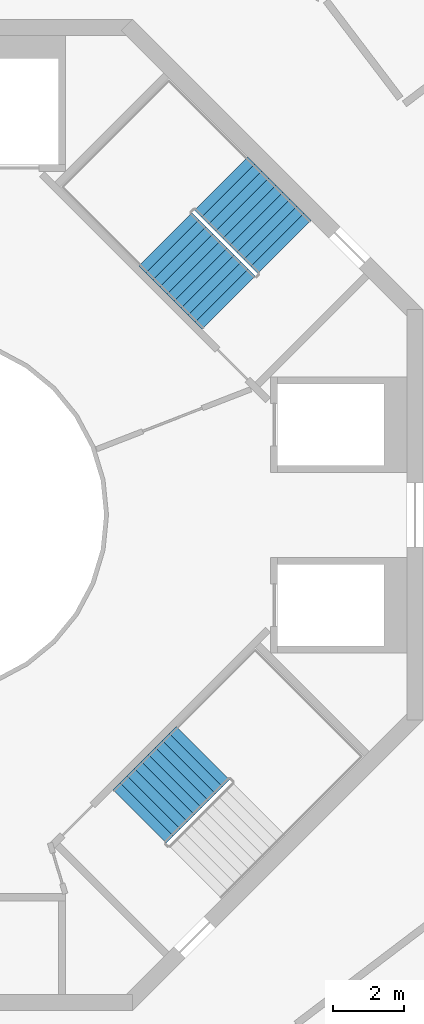
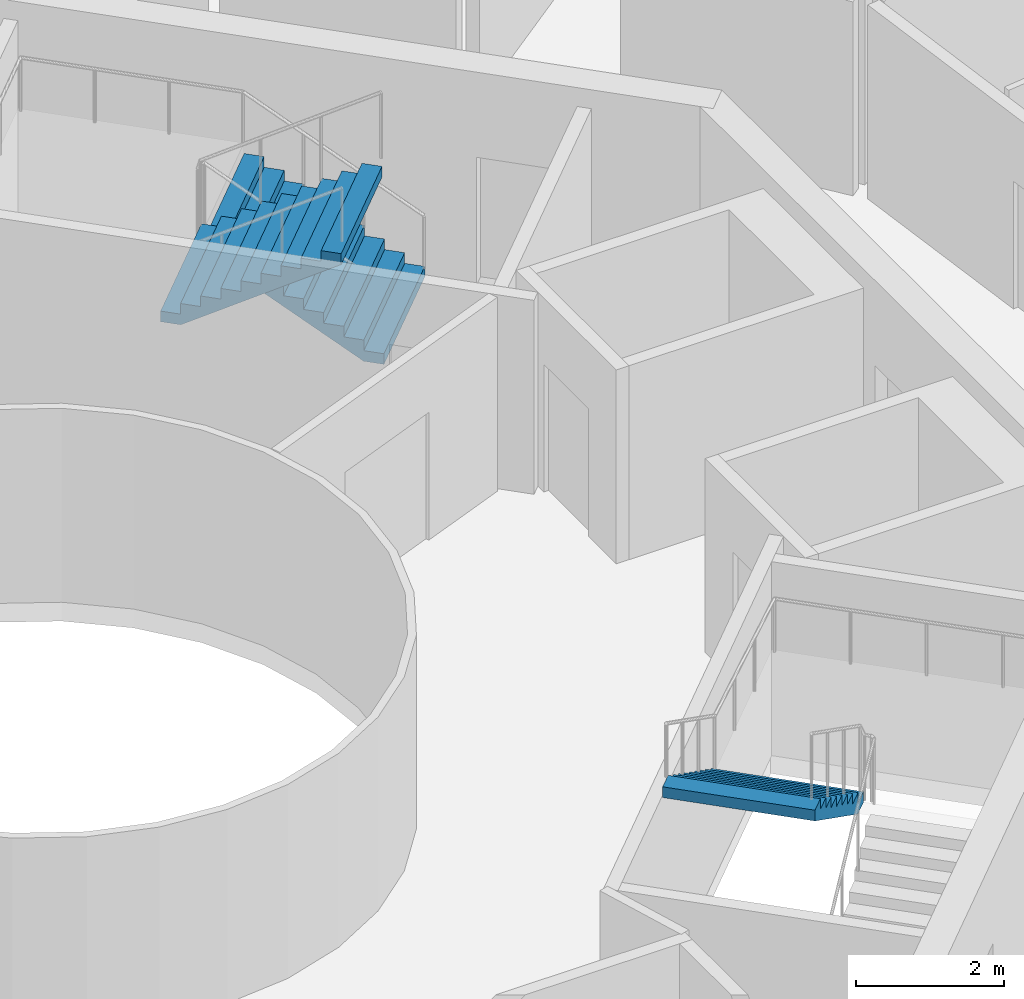
# One storey, part 25 of 26: 3 stair flights, 2 elements without a shape of their own.
"""IFC4 building model written with IfcOpenShell, lengths in metres."""

from ifc_helpers import new_model, si_unit, direction, frame, origin, place, context, subcontext, project, spatial, triangles, material, type_object, element, aggregate, save


model = new_model("IFC4")

# Units and contexts
model_context = context("Model", 3, precision=1e-05, world=origin(), true_north=direction((0.0, 1.0)))
body_context = subcontext(model_context, "Body", "Model", "MODEL_VIEW")
ifc_project = project(units=[si_unit("LENGTHUNIT", "METRE"), si_unit("AREAUNIT", "SQUARE_METRE"), si_unit("VOLUMEUNIT", "CUBIC_METRE"), si_unit("PLANEANGLEUNIT", "RADIAN"), si_unit("MASSUNIT", "GRAM", prefix="KILO")], contexts=[model_context])

# Site, building, storey
site_placement = place(None, origin())
site = spatial("IfcSite", under=ifc_project, at=site_placement, CompositionType="ELEMENT")
building_placement = place(site_placement, origin())
building = spatial("IfcBuilding", under=site, at=building_placement, Name="Verdalira Terraces Hotel", CompositionType="ELEMENT")
storey_placement = place(building_placement, frame((0.0, 0.0, 306.5)))
storey = spatial("IfcBuildingStorey", under=building, at=storey_placement, Name="L76", CompositionType="ELEMENT", Elevation=306.5)

# Stair, stair flights
ifc_material_1 = material(Name="Concrete C40", Category="concrete")
stair_type = type_object("IfcStairType", Name="Core stair 20 risers 2125 mm wide", PredefinedType="HALF_TURN_STAIR", material=ifc_material_1)
stair_1_placement = place(storey_placement, origin())
stair_1 = element("IfcStair", 1, at=stair_1_placement, inside=storey, type_object=stair_type, Name="L76 Exit stair ST1", PredefinedType="HALF_TURN_STAIR")
ifc_material_2 = material(Name="Concrete C40", Category="concrete")
stair_flight_type = type_object("IfcStairFlightType", Name="Core stair flight 20 risers 2125 mm wide", PredefinedType="STRAIGHT", material=ifc_material_2)
stair_flight_1_placement = place(storey_placement, frame((10.085205, 7.574951, 0.0), z_axis=(0.0, 0.0, 1.0), x_axis=(-0.707106781, 0.707106781, 0.0)))
stair_flight_1 = element("IfcStairFlight", 2, at=stair_flight_1_placement, type_object=stair_flight_type, Name="ST1 flight 1", NumberOfRisers=10, NumberOfTreads=9, PredefinedType="STRAIGHT", RiserHeight=0.175, TreadLength=0.28, context=body_context, shape_type="Tessellation", body=[
    triangles([(0.0, 1.0625, 0.0), (0.282715, 1.0625, 0.0), (2.52002, 1.0625, 1.398193), (0.0, -1.0625, 0.0), (0.282715, -1.0625, 0.0), (2.52002, -1.0625, 1.398193), (2.52002, 1.0625, 1.574951), (2.23999, 1.0625, 1.574951), (2.52002, -1.0625, 1.574951), (2.23999, -1.0625, 1.574951), (2.23999, 1.0625, 1.399902), (2.23999, -1.0625, 1.399902), (1.959961, 1.0625, 1.399902), (1.959961, -1.0625, 1.399902), (1.959961, 1.0625, 1.225098), (1.959961, -1.0625, 1.225098), (1.679932, 1.0625, 1.225098), (1.679932, 1.0625, 1.050049), (1.679932, -1.0625, 1.225098), (1.679932, -1.0625, 1.050049), (1.399902, 1.0625, 1.050049), (1.399902, 1.0625, 0.875), (1.399902, -1.0625, 1.050049), (1.399902, -1.0625, 0.875), (1.120117, 1.0625, 0.875), (1.120117, 1.0625, 0.699951), (1.120117, -1.0625, 0.875), (1.120117, -1.0625, 0.699951), (0.840088, 1.0625, 0.699951), (0.840088, 1.0625, 0.524902), (0.840088, -1.0625, 0.699951), (0.840088, -1.0625, 0.524902), (0.560059, 1.0625, 0.524902), (0.560059, 1.0625, 0.350098), (0.560059, -1.0625, 0.524902), (0.560059, -1.0625, 0.350098), (0.280029, 1.0625, 0.350098), (0.280029, 1.0625, 0.175049), (0.280029, -1.0625, 0.350098), (0.280029, -1.0625, 0.175049), (0.0, 1.0625, 0.175049), (0.0, -1.0625, 0.175049), (0.0, -0.996094, 0.0), (0.0, -0.996094, 0.175049), (0.0, -0.929688, 0.0), (0.0, -0.929688, 0.175049), (0.0, -0.863281, 0.0), (0.0, -0.863281, 0.175049), (0.0, -0.796875, 0.0), (0.0, -0.796875, 0.175049), (0.0, -0.730469, 0.0), (0.0, -0.730469, 0.175049), (0.0, -0.664062, 0.0), (0.0, -0.664062, 0.175049), (0.0, -0.597656, 0.0), (0.0, -0.597656, 0.175049), (0.0, -0.53125, 0.0), (0.0, -0.53125, 0.175049), (0.0, -0.464844, 0.0), (0.0, -0.464844, 0.175049), (0.0, -0.398438, 0.0), (0.0, -0.398438, 0.175049), (0.0, -0.332031, 0.0), (0.0, -0.332031, 0.175049), (0.0, -0.265625, 0.0), (0.0, -0.265625, 0.175049), (0.0, -0.199219, 0.0), (0.0, -0.199219, 0.175049), (0.0, -0.132812, 0.0), (0.0, -0.132812, 0.175049), (0.0, -0.066406, 0.0), (0.0, -0.066406, 0.175049), (0.0, 0.0, 0.0), (0.0, 0.0, 0.175049), (0.0, 0.066406, 0.0), (0.0, 0.066406, 0.175049), (0.0, 0.132812, 0.0), (0.0, 0.132812, 0.175049), (0.0, 0.199219, 0.0), (0.0, 0.199219, 0.175049), (0.0, 0.265625, 0.0), (0.0, 0.265625, 0.175049), (0.0, 0.332031, 0.0), (0.0, 0.332031, 0.175049), (0.0, 0.398438, 0.0), (0.0, 0.398438, 0.175049), (0.0, 0.464844, 0.0), (0.0, 0.464844, 0.175049), (0.0, 0.53125, 0.0), (0.0, 0.53125, 0.175049), (0.0, 0.597656, 0.0), (0.0, 0.597656, 0.175049), (0.0, 0.664062, 0.0), (0.0, 0.664062, 0.175049), (0.0, 0.730469, 0.0), (0.0, 0.730469, 0.175049), (0.0, 0.796875, 0.0), (0.0, 0.796875, 0.175049), (0.0, 0.863281, 0.0), (0.0, 0.863281, 0.175049), (0.0, 0.929688, 0.0), (0.0, 0.929688, 0.175049), (0.0, 0.996094, 0.0), (0.0, 0.996094, 0.175049), (2.52002, -0.996094, 1.574951), (2.52002, -0.929688, 1.574951), (2.52002, -0.863281, 1.574951), (2.52002, -0.796875, 1.574951), (2.52002, -0.730469, 1.574951), (2.52002, -0.664062, 1.574951), (2.52002, -0.597656, 1.574951), (2.52002, -0.53125, 1.574951), (2.52002, -0.464844, 1.574951), (2.52002, -0.398438, 1.574951), (2.52002, -0.332031, 1.574951), (2.52002, -0.265625, 1.574951), (2.52002, -0.199219, 1.574951), (2.52002, -0.132812, 1.574951), (2.52002, -0.066406, 1.574951), (2.52002, 0.0, 1.574951), (2.52002, 0.066406, 1.574951), (2.52002, 0.132812, 1.574951), (2.52002, 0.199219, 1.574951), (2.52002, 0.265625, 1.574951), (2.52002, 0.332031, 1.574951), (2.52002, 0.398438, 1.574951), (2.52002, 0.464844, 1.574951), (2.52002, 0.53125, 1.574951), (2.52002, 0.597656, 1.574951), (2.52002, 0.664062, 1.574951), (2.52002, 0.730469, 1.574951), (2.52002, 0.796875, 1.574951), (2.52002, 0.863281, 1.574951), (2.52002, 0.929688, 1.574951), (2.52002, 0.996094, 1.574951), (2.52002, -0.996094, 1.398193), (2.52002, -0.929688, 1.398193), (2.52002, -0.863281, 1.398193), (2.52002, -0.796875, 1.398193), (2.52002, -0.730469, 1.398193), (2.52002, -0.664062, 1.398193), (2.52002, -0.597656, 1.398193), (2.52002, -0.53125, 1.398193), (2.52002, -0.464844, 1.398193), (2.52002, -0.398438, 1.398193), (2.52002, -0.332031, 1.398193), (2.52002, -0.265625, 1.398193), (2.52002, -0.199219, 1.398193), (2.52002, -0.132812, 1.398193), (2.52002, -0.066406, 1.398193), (2.52002, 0.0, 1.398193), (2.52002, 0.066406, 1.398193), (2.52002, 0.132812, 1.398193), (2.52002, 0.199219, 1.398193), (2.52002, 0.265625, 1.398193), (2.52002, 0.332031, 1.398193), (2.52002, 0.398438, 1.398193), (2.52002, 0.464844, 1.398193), (2.52002, 0.53125, 1.398193), (2.52002, 0.597656, 1.398193), (2.52002, 0.664062, 1.398193), (2.52002, 0.730469, 1.398193), (2.52002, 0.796875, 1.398193), (2.52002, 0.863281, 1.398193), (2.52002, 0.929688, 1.398193), (2.52002, 0.996094, 1.398193)], [[1, 3, 2], [4, 5, 6], [3, 8, 7], [6, 9, 10], [3, 11, 8], [6, 10, 12], [3, 13, 11], [6, 12, 14], [3, 15, 13], [6, 14, 16], [15, 18, 17], [16, 19, 20], [3, 18, 15], [6, 16, 20], [18, 22, 21], [20, 23, 24], [3, 22, 18], [6, 20, 24], [22, 26, 25], [24, 27, 28], [3, 26, 22], [6, 24, 28], [26, 30, 29], [28, 31, 32], [3, 30, 26], [6, 28, 32], [1, 30, 3], [4, 6, 32], [30, 34, 33], [32, 35, 36], [34, 38, 37], [36, 39, 40], [30, 38, 34], [32, 36, 40], [1, 38, 30], [4, 32, 40], [38, 1, 41], [40, 42, 4], [4, 44, 43], [4, 42, 44], [43, 46, 45], [43, 44, 46], [45, 48, 47], [45, 46, 48], [47, 50, 49], [47, 48, 50], [49, 52, 51], [49, 50, 52], [51, 54, 53], [51, 52, 54], [53, 56, 55], [53, 54, 56], [55, 58, 57], [55, 56, 58], [57, 60, 59], [57, 58, 60], [59, 62, 61], [59, 60, 62], [61, 64, 63], [61, 62, 64], [63, 66, 65], [63, 64, 66], [65, 68, 67], [65, 66, 68], [67, 70, 69], [67, 68, 70], [69, 72, 71], [69, 70, 72], [71, 74, 73], [71, 72, 74], [73, 76, 75], [73, 74, 76], [75, 78, 77], [75, 76, 78], [77, 80, 79], [77, 78, 80], [79, 82, 81], [79, 80, 82], [81, 84, 83], [81, 82, 84], [83, 86, 85], [83, 84, 86], [85, 88, 87], [85, 86, 88], [87, 90, 89], [87, 88, 90], [89, 92, 91], [89, 90, 92], [91, 94, 93], [91, 92, 94], [93, 96, 95], [93, 94, 96], [95, 98, 97], [95, 96, 98], [97, 100, 99], [97, 98, 100], [99, 102, 101], [99, 100, 102], [101, 104, 103], [101, 102, 104], [103, 41, 1], [103, 104, 41], [42, 40, 44], [44, 40, 46], [46, 40, 48], [48, 40, 50], [50, 40, 52], [52, 40, 54], [54, 40, 56], [56, 40, 58], [58, 40, 60], [60, 40, 62], [62, 40, 64], [64, 40, 66], [66, 40, 68], [68, 40, 70], [70, 40, 72], [72, 40, 74], [74, 40, 76], [76, 40, 78], [78, 40, 80], [80, 40, 82], [82, 40, 84], [84, 40, 86], [86, 40, 88], [88, 40, 90], [90, 40, 92], [92, 40, 94], [94, 40, 96], [96, 40, 98], [98, 40, 100], [100, 40, 102], [102, 40, 104], [104, 40, 41], [41, 40, 38], [40, 37, 38], [40, 39, 37], [39, 34, 37], [39, 36, 34], [36, 33, 34], [36, 35, 33], [35, 30, 33], [35, 32, 30], [32, 29, 30], [32, 31, 29], [31, 26, 29], [31, 28, 26], [28, 25, 26], [28, 27, 25], [27, 22, 25], [27, 24, 22], [24, 21, 22], [24, 23, 21], [23, 18, 21], [23, 20, 18], [20, 17, 18], [20, 19, 17], [19, 15, 17], [19, 16, 15], [16, 13, 15], [16, 14, 13], [14, 11, 13], [14, 12, 11], [12, 8, 11], [12, 10, 8], [9, 105, 10], [105, 106, 10], [106, 107, 10], [107, 108, 10], [108, 109, 10], [109, 110, 10], [110, 111, 10], [111, 112, 10], [112, 113, 10], [113, 114, 10], [114, 115, 10], [115, 116, 10], [116, 117, 10], [117, 118, 10], [118, 119, 10], [119, 120, 10], [120, 121, 10], [121, 122, 10], [122, 123, 10], [123, 124, 10], [124, 125, 10], [125, 126, 10], [126, 127, 10], [127, 128, 10], [128, 129, 10], [129, 130, 10], [130, 131, 10], [131, 132, 10], [132, 133, 10], [133, 134, 10], [134, 135, 10], [135, 7, 10], [7, 8, 10], [9, 136, 105], [9, 6, 136], [105, 137, 106], [105, 136, 137], [106, 138, 107], [106, 137, 138], [107, 139, 108], [107, 138, 139], [108, 140, 109], [108, 139, 140], [109, 141, 110], [109, 140, 141], [110, 142, 111], [110, 141, 142], [111, 143, 112], [111, 142, 143], [112, 144, 113], [112, 143, 144], [113, 145, 114], [113, 144, 145], [114, 146, 115], [114, 145, 146], [115, 147, 116], [115, 146, 147], [116, 148, 117], [116, 147, 148], [117, 149, 118], [117, 148, 149], [118, 150, 119], [118, 149, 150], [119, 151, 120], [119, 150, 151], [120, 152, 121], [120, 151, 152], [121, 153, 122], [121, 152, 153], [122, 154, 123], [122, 153, 154], [123, 155, 124], [123, 154, 155], [124, 156, 125], [124, 155, 156], [125, 157, 126], [125, 156, 157], [126, 158, 127], [126, 157, 158], [127, 159, 128], [127, 158, 159], [128, 160, 129], [128, 159, 160], [129, 161, 130], [129, 160, 161], [130, 162, 131], [130, 161, 162], [131, 163, 132], [131, 162, 163], [132, 164, 133], [132, 163, 164], [133, 165, 134], [133, 164, 165], [134, 166, 135], [134, 165, 166], [135, 3, 7], [135, 166, 3], [6, 5, 136], [136, 5, 137], [137, 5, 138], [138, 5, 139], [139, 5, 140], [140, 5, 141], [141, 5, 142], [142, 5, 143], [143, 5, 144], [144, 5, 145], [145, 5, 146], [146, 5, 147], [147, 5, 148], [148, 5, 149], [149, 5, 150], [150, 5, 151], [151, 5, 152], [152, 5, 153], [153, 5, 154], [154, 5, 155], [155, 5, 156], [156, 5, 157], [157, 5, 158], [158, 5, 159], [159, 5, 160], [160, 5, 161], [161, 5, 162], [162, 5, 163], [163, 5, 164], [164, 5, 165], [165, 5, 166], [166, 5, 3], [3, 5, 2], [4, 43, 5], [43, 45, 5], [45, 47, 5], [47, 49, 5], [49, 51, 5], [51, 53, 5], [53, 55, 5], [55, 57, 5], [57, 59, 5], [59, 61, 5], [61, 63, 5], [63, 65, 5], [65, 67, 5], [67, 69, 5], [69, 71, 5], [71, 73, 5], [73, 75, 5], [75, 77, 5], [77, 79, 5], [79, 81, 5], [81, 83, 5], [83, 85, 5], [85, 87, 5], [87, 89, 5], [89, 91, 5], [91, 93, 5], [93, 95, 5], [95, 97, 5], [97, 99, 5], [99, 101, 5], [101, 103, 5], [103, 1, 5], [1, 2, 5]], closed=True),
])
stair_flight_2_placement = place(storey_placement, frame((6.72998, 7.783447, 1.75), z_axis=(0.0, 0.0, 1.0), x_axis=(0.707106781, -0.707106781, 0.0)))
stair_flight_2 = element("IfcStairFlight", 3, at=stair_flight_2_placement, type_object=stair_flight_type, Name="ST1 flight 2", NumberOfRisers=10, NumberOfTreads=9, PredefinedType="STRAIGHT", RiserHeight=0.175, TreadLength=0.28, context=body_context, shape_type="Tessellation", body=[
    triangles([(0.0, 1.0625, 0.0), (0.282715, 1.0625, 0.0), (2.52002, 1.0625, 1.398193), (0.0, -1.0625, 0.0), (0.282715, -1.0625, 0.0), (2.52002, -1.0625, 1.398193), (2.52002, 1.0625, 1.574951), (2.23999, 1.0625, 1.574951), (2.52002, -1.0625, 1.574951), (2.23999, -1.0625, 1.574951), (2.23999, 1.0625, 1.399902), (2.23999, -1.0625, 1.399902), (1.959961, 1.0625, 1.399902), (1.959961, -1.0625, 1.399902), (1.959961, 1.0625, 1.225098), (1.959961, -1.0625, 1.225098), (1.679932, 1.0625, 1.225098), (1.679932, 1.0625, 1.050049), (1.679932, -1.0625, 1.225098), (1.679932, -1.0625, 1.050049), (1.399902, 1.0625, 1.050049), (1.399902, 1.0625, 0.875), (1.399902, -1.0625, 1.050049), (1.399902, -1.0625, 0.875), (1.120117, 1.0625, 0.875), (1.120117, 1.0625, 0.699951), (1.120117, -1.0625, 0.875), (1.120117, -1.0625, 0.699951), (0.840088, 1.0625, 0.699951), (0.840088, 1.0625, 0.524902), (0.840088, -1.0625, 0.699951), (0.840088, -1.0625, 0.524902), (0.560059, 1.0625, 0.524902), (0.560059, 1.0625, 0.350098), (0.560059, -1.0625, 0.524902), (0.560059, -1.0625, 0.350098), (0.280029, 1.0625, 0.350098), (0.280029, 1.0625, 0.175049), (0.280029, -1.0625, 0.350098), (0.280029, -1.0625, 0.175049), (0.0, 1.0625, 0.175049), (0.0, -1.0625, 0.175049), (0.0, -0.996094, 0.0), (0.0, -0.996094, 0.175049), (0.0, -0.929688, 0.0), (0.0, -0.929688, 0.175049), (0.0, -0.863281, 0.0), (0.0, -0.863281, 0.175049), (0.0, -0.796875, 0.0), (0.0, -0.796875, 0.175049), (0.0, -0.730469, 0.0), (0.0, -0.730469, 0.175049), (0.0, -0.664062, 0.0), (0.0, -0.664062, 0.175049), (0.0, -0.597656, 0.0), (0.0, -0.597656, 0.175049), (0.0, -0.53125, 0.0), (0.0, -0.53125, 0.175049), (0.0, -0.464844, 0.0), (0.0, -0.464844, 0.175049), (0.0, -0.398438, 0.0), (0.0, -0.398438, 0.175049), (0.0, -0.332031, 0.0), (0.0, -0.332031, 0.175049), (0.0, -0.265625, 0.0), (0.0, -0.265625, 0.175049), (0.0, -0.199219, 0.0), (0.0, -0.199219, 0.175049), (0.0, -0.132812, 0.0), (0.0, -0.132812, 0.175049), (0.0, -0.066406, 0.0), (0.0, -0.066406, 0.175049), (0.0, 0.0, 0.0), (0.0, 0.0, 0.175049), (0.0, 0.066406, 0.0), (0.0, 0.066406, 0.175049), (0.0, 0.132812, 0.0), (0.0, 0.132812, 0.175049), (0.0, 0.199219, 0.0), (0.0, 0.199219, 0.175049), (0.0, 0.265625, 0.0), (0.0, 0.265625, 0.175049), (0.0, 0.332031, 0.0), (0.0, 0.332031, 0.175049), (0.0, 0.398438, 0.0), (0.0, 0.398438, 0.175049), (0.0, 0.464844, 0.0), (0.0, 0.464844, 0.175049), (0.0, 0.53125, 0.0), (0.0, 0.53125, 0.175049), (0.0, 0.597656, 0.0), (0.0, 0.597656, 0.175049), (0.0, 0.664062, 0.0), (0.0, 0.664062, 0.175049), (0.0, 0.730469, 0.0), (0.0, 0.730469, 0.175049), (0.0, 0.796875, 0.0), (0.0, 0.796875, 0.175049), (0.0, 0.863281, 0.0), (0.0, 0.863281, 0.175049), (0.0, 0.929688, 0.0), (0.0, 0.929688, 0.175049), (0.0, 0.996094, 0.0), (0.0, 0.996094, 0.175049), (2.52002, -0.996094, 1.574951), (2.52002, -0.929688, 1.574951), (2.52002, -0.863281, 1.574951), (2.52002, -0.796875, 1.574951), (2.52002, -0.730469, 1.574951), (2.52002, -0.664062, 1.574951), (2.52002, -0.597656, 1.574951), (2.52002, -0.53125, 1.574951), (2.52002, -0.464844, 1.574951), (2.52002, -0.398438, 1.574951), (2.52002, -0.332031, 1.574951), (2.52002, -0.265625, 1.574951), (2.52002, -0.199219, 1.574951), (2.52002, -0.132812, 1.574951), (2.52002, -0.066406, 1.574951), (2.52002, 0.0, 1.574951), (2.52002, 0.066406, 1.574951), (2.52002, 0.132812, 1.574951), (2.52002, 0.199219, 1.574951), (2.52002, 0.265625, 1.574951), (2.52002, 0.332031, 1.574951), (2.52002, 0.398438, 1.574951), (2.52002, 0.464844, 1.574951), (2.52002, 0.53125, 1.574951), (2.52002, 0.597656, 1.574951), (2.52002, 0.664062, 1.574951), (2.52002, 0.730469, 1.574951), (2.52002, 0.796875, 1.574951), (2.52002, 0.863281, 1.574951), (2.52002, 0.929688, 1.574951), (2.52002, 0.996094, 1.574951), (2.52002, -0.996094, 1.398193), (2.52002, -0.929688, 1.398193), (2.52002, -0.863281, 1.398193), (2.52002, -0.796875, 1.398193), (2.52002, -0.730469, 1.398193), (2.52002, -0.664062, 1.398193), (2.52002, -0.597656, 1.398193), (2.52002, -0.53125, 1.398193), (2.52002, -0.464844, 1.398193), (2.52002, -0.398438, 1.398193), (2.52002, -0.332031, 1.398193), (2.52002, -0.265625, 1.398193), (2.52002, -0.199219, 1.398193), (2.52002, -0.132812, 1.398193), (2.52002, -0.066406, 1.398193), (2.52002, 0.0, 1.398193), (2.52002, 0.066406, 1.398193), (2.52002, 0.132812, 1.398193), (2.52002, 0.199219, 1.398193), (2.52002, 0.265625, 1.398193), (2.52002, 0.332031, 1.398193), (2.52002, 0.398438, 1.398193), (2.52002, 0.464844, 1.398193), (2.52002, 0.53125, 1.398193), (2.52002, 0.597656, 1.398193), (2.52002, 0.664062, 1.398193), (2.52002, 0.730469, 1.398193), (2.52002, 0.796875, 1.398193), (2.52002, 0.863281, 1.398193), (2.52002, 0.929688, 1.398193), (2.52002, 0.996094, 1.398193)], [[1, 3, 2], [4, 5, 6], [3, 8, 7], [6, 9, 10], [3, 11, 8], [6, 10, 12], [3, 13, 11], [6, 12, 14], [3, 15, 13], [6, 14, 16], [15, 18, 17], [16, 19, 20], [3, 18, 15], [6, 16, 20], [18, 22, 21], [20, 23, 24], [3, 22, 18], [6, 20, 24], [22, 26, 25], [24, 27, 28], [3, 26, 22], [6, 24, 28], [26, 30, 29], [28, 31, 32], [3, 30, 26], [6, 28, 32], [1, 30, 3], [4, 6, 32], [30, 34, 33], [32, 35, 36], [34, 38, 37], [36, 39, 40], [30, 38, 34], [32, 36, 40], [1, 38, 30], [4, 32, 40], [38, 1, 41], [40, 42, 4], [4, 44, 43], [4, 42, 44], [43, 46, 45], [43, 44, 46], [45, 48, 47], [45, 46, 48], [47, 50, 49], [47, 48, 50], [49, 52, 51], [49, 50, 52], [51, 54, 53], [51, 52, 54], [53, 56, 55], [53, 54, 56], [55, 58, 57], [55, 56, 58], [57, 60, 59], [57, 58, 60], [59, 62, 61], [59, 60, 62], [61, 64, 63], [61, 62, 64], [63, 66, 65], [63, 64, 66], [65, 68, 67], [65, 66, 68], [67, 70, 69], [67, 68, 70], [69, 72, 71], [69, 70, 72], [71, 74, 73], [71, 72, 74], [73, 76, 75], [73, 74, 76], [75, 78, 77], [75, 76, 78], [77, 80, 79], [77, 78, 80], [79, 82, 81], [79, 80, 82], [81, 84, 83], [81, 82, 84], [83, 86, 85], [83, 84, 86], [85, 88, 87], [85, 86, 88], [87, 90, 89], [87, 88, 90], [89, 92, 91], [89, 90, 92], [91, 94, 93], [91, 92, 94], [93, 96, 95], [93, 94, 96], [95, 98, 97], [95, 96, 98], [97, 100, 99], [97, 98, 100], [99, 102, 101], [99, 100, 102], [101, 104, 103], [101, 102, 104], [103, 41, 1], [103, 104, 41], [42, 40, 44], [44, 40, 46], [46, 40, 48], [48, 40, 50], [50, 40, 52], [52, 40, 54], [54, 40, 56], [56, 40, 58], [58, 40, 60], [60, 40, 62], [62, 40, 64], [64, 40, 66], [66, 40, 68], [68, 40, 70], [70, 40, 72], [72, 40, 74], [74, 40, 76], [76, 40, 78], [78, 40, 80], [80, 40, 82], [82, 40, 84], [84, 40, 86], [86, 40, 88], [88, 40, 90], [90, 40, 92], [92, 40, 94], [94, 40, 96], [96, 40, 98], [98, 40, 100], [100, 40, 102], [102, 40, 104], [104, 40, 41], [41, 40, 38], [40, 37, 38], [40, 39, 37], [39, 34, 37], [39, 36, 34], [36, 33, 34], [36, 35, 33], [35, 30, 33], [35, 32, 30], [32, 29, 30], [32, 31, 29], [31, 26, 29], [31, 28, 26], [28, 25, 26], [28, 27, 25], [27, 22, 25], [27, 24, 22], [24, 21, 22], [24, 23, 21], [23, 18, 21], [23, 20, 18], [20, 17, 18], [20, 19, 17], [19, 15, 17], [19, 16, 15], [16, 13, 15], [16, 14, 13], [14, 11, 13], [14, 12, 11], [12, 8, 11], [12, 10, 8], [9, 105, 10], [105, 106, 10], [106, 107, 10], [107, 108, 10], [108, 109, 10], [109, 110, 10], [110, 111, 10], [111, 112, 10], [112, 113, 10], [113, 114, 10], [114, 115, 10], [115, 116, 10], [116, 117, 10], [117, 118, 10], [118, 119, 10], [119, 120, 10], [120, 121, 10], [121, 122, 10], [122, 123, 10], [123, 124, 10], [124, 125, 10], [125, 126, 10], [126, 127, 10], [127, 128, 10], [128, 129, 10], [129, 130, 10], [130, 131, 10], [131, 132, 10], [132, 133, 10], [133, 134, 10], [134, 135, 10], [135, 7, 10], [7, 8, 10], [9, 136, 105], [9, 6, 136], [105, 137, 106], [105, 136, 137], [106, 138, 107], [106, 137, 138], [107, 139, 108], [107, 138, 139], [108, 140, 109], [108, 139, 140], [109, 141, 110], [109, 140, 141], [110, 142, 111], [110, 141, 142], [111, 143, 112], [111, 142, 143], [112, 144, 113], [112, 143, 144], [113, 145, 114], [113, 144, 145], [114, 146, 115], [114, 145, 146], [115, 147, 116], [115, 146, 147], [116, 148, 117], [116, 147, 148], [117, 149, 118], [117, 148, 149], [118, 150, 119], [118, 149, 150], [119, 151, 120], [119, 150, 151], [120, 152, 121], [120, 151, 152], [121, 153, 122], [121, 152, 153], [122, 154, 123], [122, 153, 154], [123, 155, 124], [123, 154, 155], [124, 156, 125], [124, 155, 156], [125, 157, 126], [125, 156, 157], [126, 158, 127], [126, 157, 158], [127, 159, 128], [127, 158, 159], [128, 160, 129], [128, 159, 160], [129, 161, 130], [129, 160, 161], [130, 162, 131], [130, 161, 162], [131, 163, 132], [131, 162, 163], [132, 164, 133], [132, 163, 164], [133, 165, 134], [133, 164, 165], [134, 166, 135], [134, 165, 166], [135, 3, 7], [135, 166, 3], [6, 5, 136], [136, 5, 137], [137, 5, 138], [138, 5, 139], [139, 5, 140], [140, 5, 141], [141, 5, 142], [142, 5, 143], [143, 5, 144], [144, 5, 145], [145, 5, 146], [146, 5, 147], [147, 5, 148], [148, 5, 149], [149, 5, 150], [150, 5, 151], [151, 5, 152], [152, 5, 153], [153, 5, 154], [154, 5, 155], [155, 5, 156], [156, 5, 157], [157, 5, 158], [158, 5, 159], [159, 5, 160], [160, 5, 161], [161, 5, 162], [162, 5, 163], [163, 5, 164], [164, 5, 165], [165, 5, 166], [166, 5, 3], [3, 5, 2], [4, 43, 5], [43, 45, 5], [45, 47, 5], [47, 49, 5], [49, 51, 5], [51, 53, 5], [53, 55, 5], [55, 57, 5], [57, 59, 5], [59, 61, 5], [61, 63, 5], [63, 65, 5], [65, 67, 5], [67, 69, 5], [69, 71, 5], [71, 73, 5], [73, 75, 5], [75, 77, 5], [77, 79, 5], [79, 81, 5], [81, 83, 5], [83, 85, 5], [85, 87, 5], [87, 89, 5], [89, 91, 5], [91, 93, 5], [93, 95, 5], [95, 97, 5], [97, 99, 5], [99, 101, 5], [101, 103, 5], [103, 1, 5], [1, 2, 5]], closed=True),
])
aggregate(stair_1, [stair_flight_1, stair_flight_2])

# Stair, stair flight
stair_2_placement = place(storey_placement, origin())
stair_2 = element("IfcStair", 4, at=stair_2_placement, inside=storey, type_object=stair_type, Name="L76 Exit stair ST3", PredefinedType="HALF_TURN_STAIR")
stair_flight_3_placement = place(storey_placement, frame((7.783447, -6.72998, 1.75), z_axis=(0.0, 0.0, 1.0), x_axis=(-0.707106781, -0.707106781, 0.0)))
stair_flight_3 = element("IfcStairFlight", 5, at=stair_flight_3_placement, type_object=stair_flight_type, Name="ST3 flight 2", NumberOfRisers=10, NumberOfTreads=9, PredefinedType="STRAIGHT", RiserHeight=0.175, TreadLength=0.28, context=body_context, shape_type="Tessellation", body=[
    triangles([(0.0, 1.0625, 0.0), (0.282715, 1.0625, 0.0), (2.52002, 1.0625, 1.398193), (0.0, -1.0625, 0.0), (0.282715, -1.0625, 0.0), (2.52002, -1.0625, 1.398193), (2.52002, 1.0625, 1.574951), (2.23999, 1.0625, 1.574951), (2.52002, -1.0625, 1.574951), (2.23999, -1.0625, 1.574951), (2.23999, 1.0625, 1.399902), (2.23999, -1.0625, 1.399902), (1.959961, 1.0625, 1.399902), (1.959961, -1.0625, 1.399902), (1.959961, 1.0625, 1.225098), (1.959961, -1.0625, 1.225098), (1.679932, 1.0625, 1.225098), (1.679932, 1.0625, 1.050049), (1.679932, -1.0625, 1.225098), (1.679932, -1.0625, 1.050049), (1.399902, 1.0625, 1.050049), (1.399902, 1.0625, 0.875), (1.399902, -1.0625, 1.050049), (1.399902, -1.0625, 0.875), (1.120117, 1.0625, 0.875), (1.120117, 1.0625, 0.699951), (1.120117, -1.0625, 0.875), (1.120117, -1.0625, 0.699951), (0.840088, 1.0625, 0.699951), (0.840088, 1.0625, 0.524902), (0.840088, -1.0625, 0.699951), (0.840088, -1.0625, 0.524902), (0.560059, 1.0625, 0.524902), (0.560059, 1.0625, 0.350098), (0.560059, -1.0625, 0.524902), (0.560059, -1.0625, 0.350098), (0.280029, 1.0625, 0.350098), (0.280029, 1.0625, 0.175049), (0.280029, -1.0625, 0.350098), (0.280029, -1.0625, 0.175049), (0.0, 1.0625, 0.175049), (0.0, -1.0625, 0.175049), (0.0, -0.996094, 0.0), (0.0, -0.996094, 0.175049), (0.0, -0.929688, 0.0), (0.0, -0.929688, 0.175049), (0.0, -0.863281, 0.0), (0.0, -0.863281, 0.175049), (0.0, -0.796875, 0.0), (0.0, -0.796875, 0.175049), (0.0, -0.730469, 0.0), (0.0, -0.730469, 0.175049), (0.0, -0.664062, 0.0), (0.0, -0.664062, 0.175049), (0.0, -0.597656, 0.0), (0.0, -0.597656, 0.175049), (0.0, -0.53125, 0.0), (0.0, -0.53125, 0.175049), (0.0, -0.464844, 0.0), (0.0, -0.464844, 0.175049), (0.0, -0.398438, 0.0), (0.0, -0.398438, 0.175049), (0.0, -0.332031, 0.0), (0.0, -0.332031, 0.175049), (0.0, -0.265625, 0.0), (0.0, -0.265625, 0.175049), (0.0, -0.199219, 0.0), (0.0, -0.199219, 0.175049), (0.0, -0.132812, 0.0), (0.0, -0.132812, 0.175049), (0.0, -0.066406, 0.0), (0.0, -0.066406, 0.175049), (0.0, 0.0, 0.0), (0.0, 0.0, 0.175049), (0.0, 0.066406, 0.0), (0.0, 0.066406, 0.175049), (0.0, 0.132812, 0.0), (0.0, 0.132812, 0.175049), (0.0, 0.199219, 0.0), (0.0, 0.199219, 0.175049), (0.0, 0.265625, 0.0), (0.0, 0.265625, 0.175049), (0.0, 0.332031, 0.0), (0.0, 0.332031, 0.175049), (0.0, 0.398438, 0.0), (0.0, 0.398438, 0.175049), (0.0, 0.464844, 0.0), (0.0, 0.464844, 0.175049), (0.0, 0.53125, 0.0), (0.0, 0.53125, 0.175049), (0.0, 0.597656, 0.0), (0.0, 0.597656, 0.175049), (0.0, 0.664062, 0.0), (0.0, 0.664062, 0.175049), (0.0, 0.730469, 0.0), (0.0, 0.730469, 0.175049), (0.0, 0.796875, 0.0), (0.0, 0.796875, 0.175049), (0.0, 0.863281, 0.0), (0.0, 0.863281, 0.175049), (0.0, 0.929688, 0.0), (0.0, 0.929688, 0.175049), (0.0, 0.996094, 0.0), (0.0, 0.996094, 0.175049), (2.52002, -0.996094, 1.574951), (2.52002, -0.929688, 1.574951), (2.52002, -0.863281, 1.574951), (2.52002, -0.796875, 1.574951), (2.52002, -0.730469, 1.574951), (2.52002, -0.664062, 1.574951), (2.52002, -0.597656, 1.574951), (2.52002, -0.53125, 1.574951), (2.52002, -0.464844, 1.574951), (2.52002, -0.398438, 1.574951), (2.52002, -0.332031, 1.574951), (2.52002, -0.265625, 1.574951), (2.52002, -0.199219, 1.574951), (2.52002, -0.132812, 1.574951), (2.52002, -0.066406, 1.574951), (2.52002, 0.0, 1.574951), (2.52002, 0.066406, 1.574951), (2.52002, 0.132812, 1.574951), (2.52002, 0.199219, 1.574951), (2.52002, 0.265625, 1.574951), (2.52002, 0.332031, 1.574951), (2.52002, 0.398438, 1.574951), (2.52002, 0.464844, 1.574951), (2.52002, 0.53125, 1.574951), (2.52002, 0.597656, 1.574951), (2.52002, 0.664062, 1.574951), (2.52002, 0.730469, 1.574951), (2.52002, 0.796875, 1.574951), (2.52002, 0.863281, 1.574951), (2.52002, 0.929688, 1.574951), (2.52002, 0.996094, 1.574951), (2.52002, -0.996094, 1.398193), (2.52002, -0.929688, 1.398193), (2.52002, -0.863281, 1.398193), (2.52002, -0.796875, 1.398193), (2.52002, -0.730469, 1.398193), (2.52002, -0.664062, 1.398193), (2.52002, -0.597656, 1.398193), (2.52002, -0.53125, 1.398193), (2.52002, -0.464844, 1.398193), (2.52002, -0.398438, 1.398193), (2.52002, -0.332031, 1.398193), (2.52002, -0.265625, 1.398193), (2.52002, -0.199219, 1.398193), (2.52002, -0.132812, 1.398193), (2.52002, -0.066406, 1.398193), (2.52002, 0.0, 1.398193), (2.52002, 0.066406, 1.398193), (2.52002, 0.132812, 1.398193), (2.52002, 0.199219, 1.398193), (2.52002, 0.265625, 1.398193), (2.52002, 0.332031, 1.398193), (2.52002, 0.398438, 1.398193), (2.52002, 0.464844, 1.398193), (2.52002, 0.53125, 1.398193), (2.52002, 0.597656, 1.398193), (2.52002, 0.664062, 1.398193), (2.52002, 0.730469, 1.398193), (2.52002, 0.796875, 1.398193), (2.52002, 0.863281, 1.398193), (2.52002, 0.929688, 1.398193), (2.52002, 0.996094, 1.398193)], [[1, 3, 2], [4, 5, 6], [3, 8, 7], [6, 9, 10], [3, 11, 8], [6, 10, 12], [3, 13, 11], [6, 12, 14], [3, 15, 13], [6, 14, 16], [15, 18, 17], [16, 19, 20], [3, 18, 15], [6, 16, 20], [18, 22, 21], [20, 23, 24], [3, 22, 18], [6, 20, 24], [22, 26, 25], [24, 27, 28], [3, 26, 22], [6, 24, 28], [26, 30, 29], [28, 31, 32], [3, 30, 26], [6, 28, 32], [1, 30, 3], [4, 6, 32], [30, 34, 33], [32, 35, 36], [34, 38, 37], [36, 39, 40], [30, 38, 34], [32, 36, 40], [1, 38, 30], [4, 32, 40], [38, 1, 41], [40, 42, 4], [4, 44, 43], [4, 42, 44], [43, 46, 45], [43, 44, 46], [45, 48, 47], [45, 46, 48], [47, 50, 49], [47, 48, 50], [49, 52, 51], [49, 50, 52], [51, 54, 53], [51, 52, 54], [53, 56, 55], [53, 54, 56], [55, 58, 57], [55, 56, 58], [57, 60, 59], [57, 58, 60], [59, 62, 61], [59, 60, 62], [61, 64, 63], [61, 62, 64], [63, 66, 65], [63, 64, 66], [65, 68, 67], [65, 66, 68], [67, 70, 69], [67, 68, 70], [69, 72, 71], [69, 70, 72], [71, 74, 73], [71, 72, 74], [73, 76, 75], [73, 74, 76], [75, 78, 77], [75, 76, 78], [77, 80, 79], [77, 78, 80], [79, 82, 81], [79, 80, 82], [81, 84, 83], [81, 82, 84], [83, 86, 85], [83, 84, 86], [85, 88, 87], [85, 86, 88], [87, 90, 89], [87, 88, 90], [89, 92, 91], [89, 90, 92], [91, 94, 93], [91, 92, 94], [93, 96, 95], [93, 94, 96], [95, 98, 97], [95, 96, 98], [97, 100, 99], [97, 98, 100], [99, 102, 101], [99, 100, 102], [101, 104, 103], [101, 102, 104], [103, 41, 1], [103, 104, 41], [42, 40, 44], [44, 40, 46], [46, 40, 48], [48, 40, 50], [50, 40, 52], [52, 40, 54], [54, 40, 56], [56, 40, 58], [58, 40, 60], [60, 40, 62], [62, 40, 64], [64, 40, 66], [66, 40, 68], [68, 40, 70], [70, 40, 72], [72, 40, 74], [74, 40, 76], [76, 40, 78], [78, 40, 80], [80, 40, 82], [82, 40, 84], [84, 40, 86], [86, 40, 88], [88, 40, 90], [90, 40, 92], [92, 40, 94], [94, 40, 96], [96, 40, 98], [98, 40, 100], [100, 40, 102], [102, 40, 104], [104, 40, 41], [41, 40, 38], [40, 37, 38], [40, 39, 37], [39, 34, 37], [39, 36, 34], [36, 33, 34], [36, 35, 33], [35, 30, 33], [35, 32, 30], [32, 29, 30], [32, 31, 29], [31, 26, 29], [31, 28, 26], [28, 25, 26], [28, 27, 25], [27, 22, 25], [27, 24, 22], [24, 21, 22], [24, 23, 21], [23, 18, 21], [23, 20, 18], [20, 17, 18], [20, 19, 17], [19, 15, 17], [19, 16, 15], [16, 13, 15], [16, 14, 13], [14, 11, 13], [14, 12, 11], [12, 8, 11], [12, 10, 8], [9, 105, 10], [105, 106, 10], [106, 107, 10], [107, 108, 10], [108, 109, 10], [109, 110, 10], [110, 111, 10], [111, 112, 10], [112, 113, 10], [113, 114, 10], [114, 115, 10], [115, 116, 10], [116, 117, 10], [117, 118, 10], [118, 119, 10], [119, 120, 10], [120, 121, 10], [121, 122, 10], [122, 123, 10], [123, 124, 10], [124, 125, 10], [125, 126, 10], [126, 127, 10], [127, 128, 10], [128, 129, 10], [129, 130, 10], [130, 131, 10], [131, 132, 10], [132, 133, 10], [133, 134, 10], [134, 135, 10], [135, 7, 10], [7, 8, 10], [9, 136, 105], [9, 6, 136], [105, 137, 106], [105, 136, 137], [106, 138, 107], [106, 137, 138], [107, 139, 108], [107, 138, 139], [108, 140, 109], [108, 139, 140], [109, 141, 110], [109, 140, 141], [110, 142, 111], [110, 141, 142], [111, 143, 112], [111, 142, 143], [112, 144, 113], [112, 143, 144], [113, 145, 114], [113, 144, 145], [114, 146, 115], [114, 145, 146], [115, 147, 116], [115, 146, 147], [116, 148, 117], [116, 147, 148], [117, 149, 118], [117, 148, 149], [118, 150, 119], [118, 149, 150], [119, 151, 120], [119, 150, 151], [120, 152, 121], [120, 151, 152], [121, 153, 122], [121, 152, 153], [122, 154, 123], [122, 153, 154], [123, 155, 124], [123, 154, 155], [124, 156, 125], [124, 155, 156], [125, 157, 126], [125, 156, 157], [126, 158, 127], [126, 157, 158], [127, 159, 128], [127, 158, 159], [128, 160, 129], [128, 159, 160], [129, 161, 130], [129, 160, 161], [130, 162, 131], [130, 161, 162], [131, 163, 132], [131, 162, 163], [132, 164, 133], [132, 163, 164], [133, 165, 134], [133, 164, 165], [134, 166, 135], [134, 165, 166], [135, 3, 7], [135, 166, 3], [6, 5, 136], [136, 5, 137], [137, 5, 138], [138, 5, 139], [139, 5, 140], [140, 5, 141], [141, 5, 142], [142, 5, 143], [143, 5, 144], [144, 5, 145], [145, 5, 146], [146, 5, 147], [147, 5, 148], [148, 5, 149], [149, 5, 150], [150, 5, 151], [151, 5, 152], [152, 5, 153], [153, 5, 154], [154, 5, 155], [155, 5, 156], [156, 5, 157], [157, 5, 158], [158, 5, 159], [159, 5, 160], [160, 5, 161], [161, 5, 162], [162, 5, 163], [163, 5, 164], [164, 5, 165], [165, 5, 166], [166, 5, 3], [3, 5, 2], [4, 43, 5], [43, 45, 5], [45, 47, 5], [47, 49, 5], [49, 51, 5], [51, 53, 5], [53, 55, 5], [55, 57, 5], [57, 59, 5], [59, 61, 5], [61, 63, 5], [63, 65, 5], [65, 67, 5], [67, 69, 5], [69, 71, 5], [71, 73, 5], [73, 75, 5], [75, 77, 5], [77, 79, 5], [79, 81, 5], [81, 83, 5], [83, 85, 5], [85, 87, 5], [87, 89, 5], [89, 91, 5], [91, 93, 5], [93, 95, 5], [95, 97, 5], [97, 99, 5], [99, 101, 5], [101, 103, 5], [103, 1, 5], [1, 2, 5]], closed=True),
])
aggregate(stair_2, [stair_flight_3])

save(model, "model.ifc")
